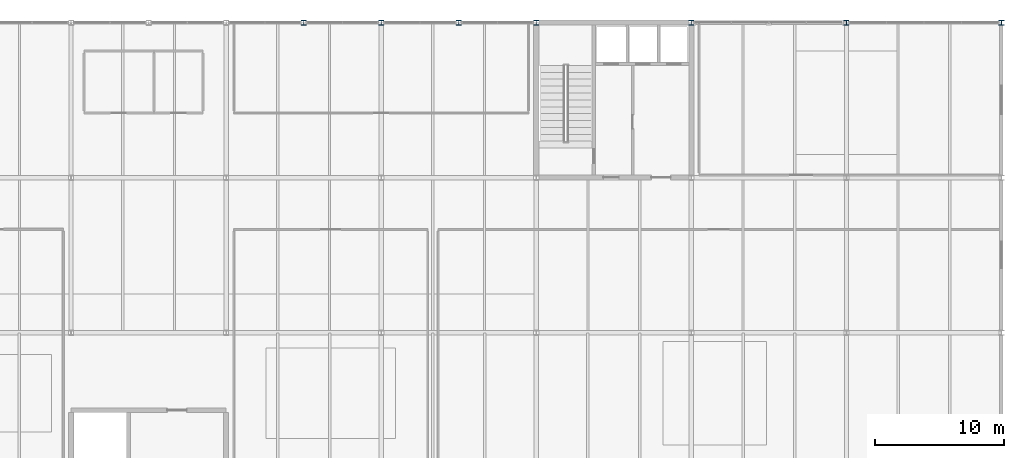
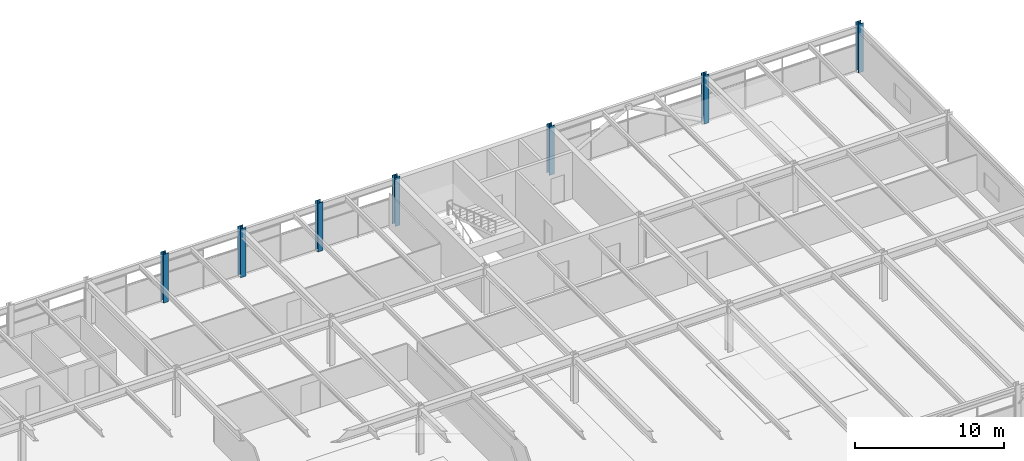
# One storey, part 6 of 52: 7 columns.
"""IFC4 building model written with IfcOpenShell, lengths in metres."""

from ifc_helpers import new_model, si_unit, direction, frame, origin, origin_2d, place, context, subcontext, project, spatial, i_section, extrude, material, material_profile, profile_set, type_object, element, save


model = new_model("IFC4")

# Units and contexts
model_context = context("Model", 3, precision=1e-05, world=origin(), true_north=direction((0.0, 1.0)))
body_context = subcontext(model_context, "Body", "Model", "MODEL_VIEW")
ifc_project = project(units=[si_unit("LENGTHUNIT", "METRE"), si_unit("AREAUNIT", "SQUARE_METRE"), si_unit("VOLUMEUNIT", "CUBIC_METRE"), si_unit("PLANEANGLEUNIT", "RADIAN"), si_unit("MASSUNIT", "GRAM", prefix="KILO")], contexts=[model_context])

# Site, building, storey
site_placement = place(None, origin())
site = spatial("IfcSite", under=ifc_project, at=site_placement, CompositionType="ELEMENT")
building_placement = place(site_placement, origin())
building = spatial("IfcBuilding", under=site, at=building_placement, Name="Girod Span Mobility Hub", CompositionType="ELEMENT")
storey_placement = place(building_placement, frame((0.0, 0.0, 45.60009765625)))
storey = spatial("IfcBuildingStorey", under=building, at=storey_placement, Name="L11", CompositionType="ELEMENT", Elevation=45.60009765625)

# Columns
ifc_material_1 = material(Name="Steel A992 Grade 50", Category="steel")
ifc_material_profile_1 = material_profile(ifc_material_1, i_section(OverallWidth=0.39404296875, OverallDepth=0.375, WebThickness=0.017333984375, FlangeThickness=0.027587890625, FilletRadius=0.01806640625, at=origin_2d()), Name="W14X145")
ifc_profile_set_1 = profile_set([ifc_material_profile_1], Name="Steel A992 Grade 50")
column_type_1 = type_object("IfcColumnType", Name="COL-STL-W14X145", PredefinedType="COLUMN", material=ifc_profile_set_1)
for number, where, z_axis, x_axis, name in (
    (1, (132.0, 69.0, 0.0), (0.0, 0.0, 1.0), (1.0, 0.0, 0.0), "Column 12F L11"),
    (2, (144.0, 69.0, 0.0), (0.0, 0.0, 1.0), (1.0, 0.0, 0.0), "Column 13F L11"),
    (3, (90.0, 69.0, 0.0), (0.0, 0.0, 1.0), (1.0, 0.0, 0.0), "Facade Intermediate Column INT-3 L11"),
    (4, (102.0, 69.0, 0.0), (0.0, 0.0, 1.0), (1.0, 0.0, 0.0), "Facade Intermediate Column INT-4 L11"),
):
    element("IfcColumn", number, at=place(storey_placement, frame(where, z_axis=z_axis, x_axis=x_axis)), inside=storey, type_object=column_type_1, Name=name, PredefinedType="COLUMN", context=body_context, shape_type="SweptSolid", body=[
        extrude(i_section(OverallWidth=0.39404296875, OverallDepth=0.375, WebThickness=0.017333984375, FlangeThickness=0.027587890625, FilletRadius=0.01806640625, at=origin_2d()), origin(), (0.0, 0.0, 1.0), 4.0),
    ])
ifc_material_2 = material(Name="Steel A992 Grade 50", Category="steel")
ifc_material_profile_2 = material_profile(ifc_material_2, i_section(OverallWidth=0.39892578125, OverallDepth=0.39306640625, WebThickness=0.022705078125, FlangeThickness=0.03662109375, FilletRadius=0.01806640625, at=origin_2d()), Name="W14X193")
ifc_profile_set_2 = profile_set([ifc_material_profile_2], Name="Steel A992 Grade 50")
column_type_2 = type_object("IfcColumnType", Name="COL-STL-W14X193", PredefinedType="COLUMN", material=ifc_profile_set_2)
for number, where, z_axis, x_axis, name in (
    (5, (96.0, 69.0, 0.0), (0.0, 0.0, 1.0), (1.0, 0.0, 0.0), "Column 9F L11"),
    (6, (108.0, 69.0, 0.0), (0.0, 0.0, 1.0), (1.0, 0.0, 0.0), "Column 10F L11"),
    (7, (120.0, 69.0, 0.0), (0.0, 0.0, 1.0), (1.0, 0.0, 0.0), "Column 11F L11"),
):
    element("IfcColumn", number, at=place(storey_placement, frame(where, z_axis=z_axis, x_axis=x_axis)), inside=storey, type_object=column_type_2, Name=name, PredefinedType="COLUMN", context=body_context, shape_type="SweptSolid", body=[
        extrude(i_section(OverallWidth=0.39892578125, OverallDepth=0.39306640625, WebThickness=0.022705078125, FlangeThickness=0.03662109375, FilletRadius=0.01806640625, at=origin_2d()), origin(), (0.0, 0.0, 1.0), 4.0),
    ])

save(model, "model.ifc")
